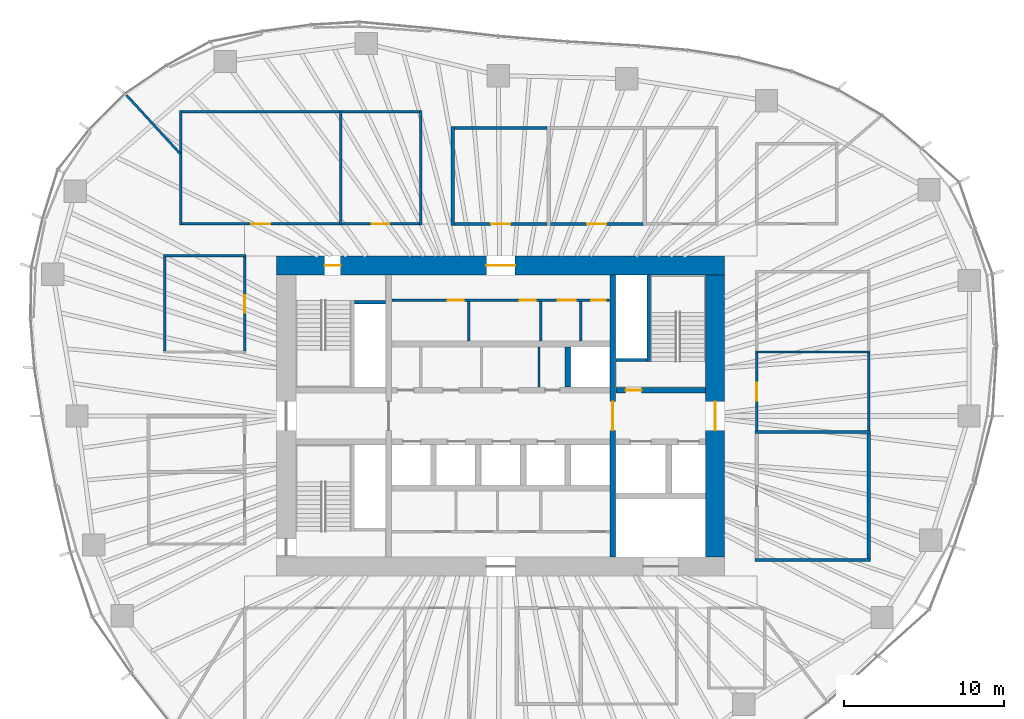
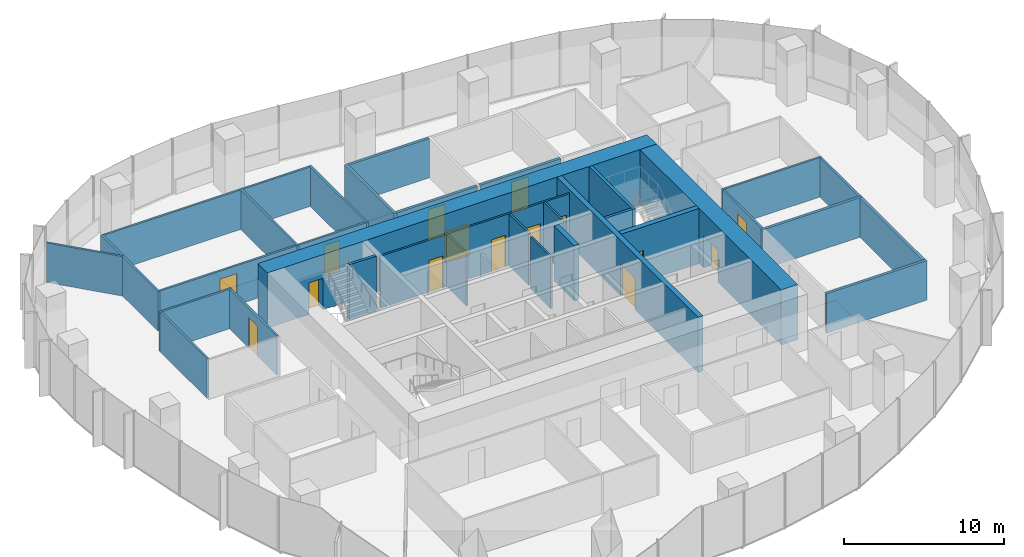
# One storey, part 10 of 18: 34 walls, 15 doors, 15 openings.
"""IFC4 building model written with IfcOpenShell, lengths in metres."""

from ifc_helpers import new_model, si_unit, direction, frame, frame_2d, origin, place, context, subcontext, project, spatial, rectangle, extrude, material, layer, layer_set, type_object, element, fill, save


model = new_model("IFC4")

# Units and contexts
model_context = context("Model", 3, precision=1e-05, world=origin(), true_north=direction((0.0, 1.0)))
body_context = subcontext(model_context, "Body", "Model", "MODEL_VIEW")
ifc_project = project(units=[si_unit("LENGTHUNIT", "METRE"), si_unit("AREAUNIT", "SQUARE_METRE"), si_unit("VOLUMEUNIT", "CUBIC_METRE"), si_unit("PLANEANGLEUNIT", "RADIAN"), si_unit("MASSUNIT", "GRAM", prefix="KILO")], contexts=[model_context])

# Site, building, storey
site_placement = place(None, origin())
site = spatial("IfcSite", under=ifc_project, at=site_placement, CompositionType="ELEMENT")
building_placement = place(site_placement, origin())
building = spatial("IfcBuilding", under=site, at=building_placement, Name="Ghaith Harvest Tower", CompositionType="ELEMENT")
storey_placement = place(building_placement, frame((0.0, 0.0, 163.800048828125)))
storey = spatial("IfcBuildingStorey", under=building, at=storey_placement, Name="L35", CompositionType="ELEMENT", Elevation=163.800048828125)

# Wall
ifc_material_1 = material(Name="Twin-stud gypsum board, acoustic", Category="gypsum")
ifc_layer_1 = layer(ifc_material_1, 0.199951171875)
ifc_layer_set_1 = layer_set([ifc_layer_1], Name="ACOUSTIC PARTITION 200")
wall_type_1 = type_object("IfcWallType", Name="ACOUSTIC PARTITION 200", PredefinedType="PARTITIONING", material=ifc_layer_set_1)
wall_1_placement = place(storey_placement, frame((-3.0, 11.89990234375, 0.0), z_axis=(0.0, 0.0, 1.0), x_axis=(0.0, 1.0, 0.0)))
element("IfcWall", 1, at=wall_1_placement, inside=storey, type_object=wall_type_1, Name="Partition L35 row N4 cross wall 1", PredefinedType="PARTITIONING", context=body_context, shape_type="SweptSolid", body=[
    extrude(rectangle(XDim=6.2001953125, YDim=0.199951171875, at=frame_2d((3.10009765625, 0.0))), origin(), (0.0, 0.0, 1.0), 3.0),
])

# Wall, opening, door
wall_2_placement = place(storey_placement, frame((-2.89990234375, 12.0, 0.0), z_axis=(0.0, 0.0, 1.0), x_axis=(1.0, 0.0, 0.0)))
wall_2 = element("IfcWall", 2, at=wall_2_placement, inside=storey, type_object=wall_type_1, Name="Partition L35-07", PredefinedType="PARTITIONING", context=body_context, shape_type="SweptSolid", body=[
    extrude(rectangle(XDim=5.7998046875, YDim=0.199951171875, at=frame_2d((2.89990234375, 0.0))), origin(), (0.0, 0.0, 1.0), 3.0),
])
opening_1_placement = place(wall_2_placement, frame((2.300048828125, 0.0, 0.0)))
opening_1 = element("IfcOpeningElement", 3, at=opening_1_placement, cuts=wall_2, Name="Opening 35-035", PredefinedType="OPENING", context=body_context, shape_type="SweptSolid", body=[
    extrude(rectangle(XDim=1.199951171875, YDim=2.39990234375, at=frame_2d((0.60009765625, 1.199951171875))), frame((0.0, 0.10986328125, 0.0), z_axis=(0.0, -1.0, 0.0), x_axis=(1.0, 0.0, 0.0)), (0.0, 0.0, 1.0), 0.219970703125),
])
ifc_material_2 = material(Name="Timber door", Category="wood")
door_type_1 = type_object("IfcDoorType", Name="D11 GLAZED 1200x2400", OperationType="SINGLE_SWING_LEFT", PredefinedType="DOOR", material=ifc_material_2)
door_1_placement = place(opening_1_placement, origin())
door_1 = element("IfcDoor", 4, at=door_1_placement, inside=storey, type_object=door_type_1, Name="Meeting room door", OperationType="SINGLE_SWING_LEFT", OverallHeight=2.39990234375, OverallWidth=1.199951171875, PredefinedType="DOOR", context=body_context, shape_type="SweptSolid", body=[
    extrude(rectangle(XDim=1.199951171875, YDim=2.39990234375, at=frame_2d((0.60009765625, 1.199951171875))), frame((0.0, 0.02490234375, 0.0), z_axis=(0.0, -1.0, 0.0), x_axis=(1.0, 0.0, 0.0)), (0.0, 0.0, 1.0), 0.050048828125),
])
fill(opening_1, door_1)

# Wall
wall_3_placement = place(storey_placement, frame((-2.89990234375, 18.0, 0.0), z_axis=(0.0, 0.0, 1.0), x_axis=(1.0, 0.0, 0.0)))
element("IfcWall", 5, at=wall_3_placement, inside=storey, type_object=wall_type_1, Name="Partition L35-07", PredefinedType="PARTITIONING", context=body_context, shape_type="SweptSolid", body=[
    extrude(rectangle(XDim=5.7998046875, YDim=0.199951171875, at=frame_2d((2.89990234375, 0.0))), origin(), (0.0, 0.0, 1.0), 3.0),
])

# Wall, opening, door
wall_4_placement = place(storey_placement, frame((3.10009765625, 12.0, 0.0), z_axis=(0.0, 0.0, 1.0), x_axis=(1.0, 0.0, 0.0)))
wall_4 = element("IfcWall", 6, at=wall_4_placement, inside=storey, type_object=wall_type_1, Name="Partition L35-08", PredefinedType="PARTITIONING", context=body_context, shape_type="SweptSolid", body=[
    extrude(rectangle(XDim=5.7998046875, YDim=0.199951171875, at=frame_2d((2.89990234375, 0.0))), origin(), (0.0, 0.0, 1.0), 3.0),
])
opening_2_placement = place(wall_4_placement, frame((2.300048828125, 0.0, 0.0)))
opening_2 = element("IfcOpeningElement", 7, at=opening_2_placement, cuts=wall_4, Name="Opening 35-036", PredefinedType="OPENING", context=body_context, shape_type="SweptSolid", body=[
    extrude(rectangle(XDim=1.199951171875, YDim=2.39990234375, at=frame_2d((0.60009765625, 1.199951171875))), frame((0.0, 0.10986328125, 0.0), z_axis=(0.0, -1.0, 0.0), x_axis=(1.0, 0.0, 0.0)), (0.0, 0.0, 1.0), 0.219970703125),
])
door_2_placement = place(opening_2_placement, origin())
door_2 = element("IfcDoor", 8, at=door_2_placement, inside=storey, type_object=door_type_1, Name="Meeting room door", OperationType="SINGLE_SWING_LEFT", OverallHeight=2.39990234375, OverallWidth=1.199951171875, PredefinedType="DOOR", context=body_context, shape_type="SweptSolid", body=[
    extrude(rectangle(XDim=1.199951171875, YDim=2.39990234375, at=frame_2d((0.60009765625, 1.199951171875))), frame((0.0, 0.02490234375, 0.0), z_axis=(0.0, -1.0, 0.0), x_axis=(1.0, 0.0, 0.0)), (0.0, 0.0, 1.0), 0.050048828125),
])
fill(opening_2, door_2)

# Walls
for number, where, z_axis, x_axis, name in (
    (9, (15.89990234375, -9.0, 0.0), (0.0, 0.0, 1.0), (1.0, 0.0, 0.0), "Partition L35 row E5 cross wall 1"),
    (10, (15.89990234375, -1.0, 0.0), (0.0, 0.0, 1.0), (1.0, 0.0, 0.0), "Partition L35 row E5 cross wall 2"),
):
    element("IfcWall", number, at=place(storey_placement, frame(where, z_axis=z_axis, x_axis=x_axis)), inside=storey, type_object=wall_type_1, Name=name, PredefinedType="PARTITIONING", context=body_context, shape_type="SweptSolid", body=[
        extrude(rectangle(XDim=7.2001953125, YDim=0.199951171875, at=frame_2d((3.60009765625, 0.0))), origin(), (0.0, 0.0, 1.0), 3.0),
    ])
wall_5_placement = place(storey_placement, frame((23.0, -8.89990234375, 0.0), z_axis=(0.0, 0.0, 1.0), x_axis=(0.0, 1.0, 0.0)))
element("IfcWall", 11, at=wall_5_placement, inside=storey, type_object=wall_type_1, Name="Partition L35-10", PredefinedType="PARTITIONING", context=body_context, shape_type="SweptSolid", body=[
    extrude(rectangle(XDim=7.7998046875, YDim=0.199951171875, at=frame_2d((3.89990234375, 0.0))), origin(), (0.0, 0.0, 1.0), 3.0),
])

# Wall, openings, doors
ifc_material_3 = material(Name="Concrete blockwork, fair-faced", Category="masonry")
ifc_layer_2 = layer(ifc_material_3, 0.139892578125)
ifc_layer_set_2 = layer_set([ifc_layer_2], Name="CORE PARTITION 140")
wall_type_2 = type_object("IfcWallType", Name="CORE PARTITION 140", PredefinedType="PARTITIONING", material=ifc_layer_set_2)
wall_6_placement = place(storey_placement, frame((-6.800048828125, 7.22998046875, 0.0), z_axis=(0.0, 0.0, 1.0), x_axis=(1.0, 0.0, 0.0)))
wall_6 = element("IfcWall", 12, at=wall_6_placement, inside=storey, type_object=wall_type_2, Name="Core partition L35", PredefinedType="PARTITIONING", context=body_context, shape_type="SweptSolid", body=[
    extrude(rectangle(XDim=13.60009765625, YDim=0.139892578125, at=frame_2d((6.800048828125, 0.0))), origin(), (0.0, 0.0, 1.0), 3.949951171875),
])
opening_3_placement = place(wall_6_placement, frame((3.47998046875, 0.0, 0.0)))
opening_3 = element("IfcOpeningElement", 13, at=opening_3_placement, cuts=wall_6, Name="Opening 35-008", PredefinedType="OPENING", context=body_context, shape_type="SweptSolid", body=[
    extrude(rectangle(XDim=1.0, YDim=2.39990234375, at=frame_2d((0.5, 1.199951171875))), frame((0.0, 0.080078125, 0.0), z_axis=(0.0, -1.0, 0.0), x_axis=(1.0, 0.0, 0.0)), (0.0, 0.0, 1.0), 0.159912109375),
])
opening_4_placement = place(wall_6_placement, frame((7.97998046875, 0.0, 0.0)))
opening_4 = element("IfcOpeningElement", 14, at=opening_4_placement, cuts=wall_6, Name="Opening 35-009", PredefinedType="OPENING", context=body_context, shape_type="SweptSolid", body=[
    extrude(rectangle(XDim=1.0, YDim=2.39990234375, at=frame_2d((0.5, 1.199951171875))), frame((0.0, 0.080078125, 0.0), z_axis=(0.0, -1.0, 0.0), x_axis=(1.0, 0.0, 0.0)), (0.0, 0.0, 1.0), 0.159912109375),
])
opening_5_placement = place(wall_6_placement, frame((10.3798828125, 0.0, 0.0)))
opening_5 = element("IfcOpeningElement", 15, at=opening_5_placement, cuts=wall_6, Name="Opening 35-010", PredefinedType="OPENING", context=body_context, shape_type="SweptSolid", body=[
    extrude(rectangle(XDim=1.10009765625, YDim=2.39990234375, at=frame_2d((0.550048828125, 1.199951171875))), frame((0.0, 0.080078125, 0.0), z_axis=(0.0, -1.0, 0.0), x_axis=(1.0, 0.0, 0.0)), (0.0, 0.0, 1.0), 0.159912109375),
])
opening_6_placement = place(wall_6_placement, frame((12.449951171875, 0.0, 0.0)))
opening_6 = element("IfcOpeningElement", 16, at=opening_6_placement, cuts=wall_6, Name="Opening 35-011", PredefinedType="OPENING", context=body_context, shape_type="SweptSolid", body=[
    extrude(rectangle(XDim=0.89990234375, YDim=2.39990234375, at=frame_2d((0.449951171875, 1.199951171875))), frame((0.0, 0.080078125, 0.0), z_axis=(0.0, -1.0, 0.0), x_axis=(1.0, 0.0, 0.0)), (0.0, 0.0, 1.0), 0.159912109375),
])
ifc_material_4 = material(Name="Steel fire door", Category="steel")
door_type_2 = type_object("IfcDoorType", Name="D3 FD90 1000x2400", OperationType="SINGLE_SWING_LEFT", PredefinedType="DOOR", material=ifc_material_4)
door_3_placement = place(opening_3_placement, origin())
door_3 = element("IfcDoor", 17, at=door_3_placement, inside=storey, type_object=door_type_2, Name="Male WC door", OperationType="SINGLE_SWING_LEFT", OverallHeight=2.39990234375, OverallWidth=1.0, PredefinedType="DOOR", context=body_context, shape_type="SweptSolid", body=[
    extrude(rectangle(XDim=1.0, YDim=2.39990234375, at=frame_2d((0.5, 1.199951171875))), frame((0.0, 0.02490234375, 0.0), z_axis=(0.0, -1.0, 0.0), x_axis=(1.0, 0.0, 0.0)), (0.0, 0.0, 1.0), 0.050048828125),
])
fill(opening_3, door_3)
door_4_placement = place(opening_4_placement, origin())
door_4 = element("IfcDoor", 18, at=door_4_placement, inside=storey, type_object=door_type_2, Name="Female WC door", OperationType="SINGLE_SWING_RIGHT", OverallHeight=2.39990234375, OverallWidth=1.0, PredefinedType="DOOR", context=body_context, shape_type="SweptSolid", body=[
    extrude(rectangle(XDim=1.0, YDim=2.39990234375, at=frame_2d((0.5, 1.199951171875))), frame((0.0, 0.02490234375, 0.0), z_axis=(0.0, -1.0, 0.0), x_axis=(1.0, 0.0, 0.0)), (0.0, 0.0, 1.0), 0.050048828125),
])
fill(opening_4, door_4)
ifc_material_5 = material(Name="Steel fire door", Category="steel")
door_type_3 = type_object("IfcDoorType", Name="D5 FD90 900x2400", OperationType="SINGLE_SWING_LEFT", PredefinedType="DOOR", material=ifc_material_5)
door_5_placement = place(opening_6_placement, origin())
door_5 = element("IfcDoor", 19, at=door_5_placement, inside=storey, type_object=door_type_3, Name="Cleaner's store door", OperationType="SINGLE_SWING_RIGHT", OverallHeight=2.39990234375, OverallWidth=0.89990234375, PredefinedType="DOOR", context=body_context, shape_type="SweptSolid", body=[
    extrude(rectangle(XDim=0.89990234375, YDim=2.39990234375, at=frame_2d((0.449951171875, 1.199951171875))), frame((0.0, 0.02490234375, 0.0), z_axis=(0.0, -1.0, 0.0), x_axis=(1.0, 0.0, 0.0)), (0.0, 0.0, 1.0), 0.050048828125),
])
fill(opening_6, door_5)
ifc_material_6 = material(Name="Steel fire door", Category="steel")
door_type_4 = type_object("IfcDoorType", Name="D9 FD90 1100x2400", OperationType="SINGLE_SWING_LEFT", PredefinedType="DOOR", material=ifc_material_6)
door_6_placement = place(opening_5_placement, origin())
door_6 = element("IfcDoor", 20, at=door_6_placement, inside=storey, type_object=door_type_4, Name="Accessible WC door", OperationType="SINGLE_SWING_RIGHT", OverallHeight=2.39990234375, OverallWidth=1.10009765625, PredefinedType="DOOR", context=body_context, shape_type="SweptSolid", body=[
    extrude(rectangle(XDim=1.10009765625, YDim=2.39990234375, at=frame_2d((0.550048828125, 1.199951171875))), frame((0.0, 0.02490234375, 0.0), z_axis=(0.0, -1.0, 0.0), x_axis=(1.0, 0.0, 0.0)), (0.0, 0.0, 1.0), 0.050048828125),
])
fill(opening_5, door_6)

# Walls
for number, where, z_axis, x_axis, name in (
    (21, (-2.0, 4.699951171875, 0.0), (0.0, 0.0, 1.0), (0.0, 1.0, 0.0), "Core partition L35"),
    (22, (2.5, 4.699951171875, 0.0), (0.0, 0.0, 1.0), (0.0, 1.0, 0.0), "Core partition L35"),
    (23, (5.0, 4.699951171875, 0.0), (0.0, 0.0, 1.0), (0.0, 1.0, 0.0), "Core partition L35"),
):
    element("IfcWall", number, at=place(storey_placement, frame(where, z_axis=z_axis, x_axis=x_axis)), inside=storey, type_object=wall_type_2, Name=name, PredefinedType="PARTITIONING", context=body_context, shape_type="SweptSolid", body=[
        extrude(rectangle(XDim=2.4599609375, YDim=0.139892578125, at=frame_2d((1.22998046875, 0.0))), origin(), (0.0, 0.0, 1.0), 3.949951171875),
    ])
wall_7_placement = place(storey_placement, frame((2.39990234375, 1.800048828125, 0.0), z_axis=(0.0, 0.0, 1.0), x_axis=(0.0, 1.0, 0.0)))
element("IfcWall", 24, at=wall_7_placement, inside=storey, type_object=wall_type_2, Name="Core partition L35", PredefinedType="PARTITIONING", context=body_context, shape_type="SweptSolid", body=[
    extrude(rectangle(XDim=2.5, YDim=0.139892578125, at=frame_2d((1.25, 0.0))), origin(), (0.0, 0.0, 1.0), 3.949951171875),
])

# Wall, openings, doors
ifc_material_7 = material(Name="Concrete C60/75", Category="concrete")
ifc_layer_3 = layer(ifc_material_7, 1.199951171875)
ifc_layer_set_3 = layer_set([ifc_layer_3], Name="CORE WALL CW1200 C60")
wall_type_3 = type_object("IfcWallType", Name="CORE WALL CW1200 C60", PredefinedType="SHEAR", material=ifc_layer_set_3)
wall_8_placement = place(storey_placement, frame((14.0, 9.39990234375, 0.0), z_axis=(0.0, 0.0, 1.0), x_axis=(-1.0, 0.0, 0.0)))
wall_8 = element("IfcWall", 25, at=wall_8_placement, inside=storey, type_object=wall_type_3, Name="Core wall N L35", PredefinedType="SHEAR", context=body_context, shape_type="SweptSolid", body=[
    extrude(rectangle(XDim=28.0, YDim=1.199951171875, at=frame_2d((14.0, 0.0))), origin(), (0.0, 0.0, 1.0), 4.199951171875),
])
opening_7_placement = place(wall_8_placement, frame((24.0, 0.0, 0.0)))
opening_7 = element("IfcOpeningElement", 26, at=opening_7_placement, cuts=wall_8, Name="Opening 35-005", PredefinedType="OPENING", context=body_context, shape_type="SweptSolid", body=[
    extrude(rectangle(XDim=1.0, YDim=2.39990234375, at=frame_2d((0.5, 1.199951171875))), frame((0.0, 0.60986328125, 0.0), z_axis=(0.0, -1.0, 0.0), x_axis=(1.0, 0.0, 0.0)), (0.0, 0.0, 1.0), 1.219970703125),
])
opening_8_placement = place(wall_8_placement, frame((13.10009765625, 0.0, 0.0)))
opening_8 = element("IfcOpeningElement", 27, at=opening_8_placement, cuts=wall_8, Name="Opening 35-020", PredefinedType="OPENING", context=body_context, shape_type="SweptSolid", body=[
    extrude(rectangle(XDim=1.800048828125, YDim=2.39990234375, at=frame_2d((0.89990234375, 1.199951171875))), frame((0.0, 0.60986328125, 0.0), z_axis=(0.0, -1.0, 0.0), x_axis=(1.0, 0.0, 0.0)), (0.0, 0.0, 1.0), 1.219970703125),
])
door_7_placement = place(opening_7_placement, origin())
door_7 = element("IfcDoor", 28, at=door_7_placement, inside=storey, type_object=door_type_2, Name="Stair ST1 door", OperationType="SINGLE_SWING_RIGHT", OverallHeight=2.39990234375, OverallWidth=1.0, PredefinedType="DOOR", context=body_context, shape_type="SweptSolid", body=[
    extrude(rectangle(XDim=1.0, YDim=2.39990234375, at=frame_2d((0.5, 1.199951171875))), frame((0.0, 0.02490234375, 0.0), z_axis=(0.0, -1.0, 0.0), x_axis=(1.0, 0.0, 0.0)), (0.0, 0.0, 1.0), 0.050048828125),
])
fill(opening_7, door_7)
ifc_material_8 = material(Name="Steel fire door", Category="steel")
door_type_5 = type_object("IfcDoorType", Name="D4 FD90 PAIR 1800x2400", OperationType="DOUBLE_DOOR_SINGLE_SWING", PredefinedType="DOOR", material=ifc_material_8)
door_8_placement = place(opening_8_placement, origin())
door_8 = element("IfcDoor", 29, at=door_8_placement, inside=storey, type_object=door_type_5, Name="Core service corridor doors", OperationType="DOUBLE_DOOR_SINGLE_SWING", OverallHeight=2.39990234375, OverallWidth=1.800048828125, PredefinedType="DOOR", context=body_context, shape_type="SweptSolid", body=[
    extrude(rectangle(XDim=1.800048828125, YDim=2.39990234375, at=frame_2d((0.89990234375, 1.199951171875))), frame((0.0, 0.02490234375, 0.0), z_axis=(0.0, -1.0, 0.0), x_axis=(1.0, 0.0, 0.0)), (0.0, 0.0, 1.0), 0.050048828125),
])
fill(opening_8, door_8)

# Wall, opening, door
wall_9_placement = place(storey_placement, frame((13.39990234375, -8.800048828125, 0.0), z_axis=(0.0, 0.0, 1.0), x_axis=(0.0, 1.0, 0.0)))
wall_9 = element("IfcWall", 30, at=wall_9_placement, inside=storey, type_object=wall_type_3, Name="Core wall E L35", PredefinedType="SHEAR", context=body_context, shape_type="SweptSolid", body=[
    extrude(rectangle(XDim=17.60009765625, YDim=1.199951171875, at=frame_2d((8.800048828125, 0.0))), origin(), (0.0, 0.0, 1.0), 4.199951171875),
])
opening_9_placement = place(wall_9_placement, frame((7.89990234375, 0.0, 0.0)))
opening_9 = element("IfcOpeningElement", 31, at=opening_9_placement, cuts=wall_9, Name="Opening 35-002", PredefinedType="OPENING", context=body_context, shape_type="SweptSolid", body=[
    extrude(rectangle(XDim=1.800048828125, YDim=2.39990234375, at=frame_2d((0.89990234375, 1.199951171875))), frame((0.0, 0.60986328125, 0.0), z_axis=(0.0, -1.0, 0.0), x_axis=(1.0, 0.0, 0.0)), (0.0, 0.0, 1.0), 1.219970703125),
])
door_9_placement = place(opening_9_placement, origin())
door_9 = element("IfcDoor", 32, at=door_9_placement, inside=storey, type_object=door_type_5, Name="Fire-fighting lobby doors", OperationType="DOUBLE_DOOR_SINGLE_SWING", OverallHeight=2.39990234375, OverallWidth=1.800048828125, PredefinedType="DOOR", context=body_context, shape_type="SweptSolid", body=[
    extrude(rectangle(XDim=1.800048828125, YDim=2.39990234375, at=frame_2d((0.89990234375, 1.199951171875))), frame((0.0, 0.02490234375, 0.0), z_axis=(0.0, -1.0, 0.0), x_axis=(1.0, 0.0, 0.0)), (0.0, 0.0, 1.0), 0.050048828125),
])
fill(opening_9, door_9)

# Walls
ifc_material_9 = material(Name="Gypsum board on steel studs", Category="steel")
ifc_layer_4 = layer(ifc_material_9, 0.14990234375)
ifc_layer_set_4 = layer_set([ifc_layer_4], Name="PARTITION 150")
wall_type_4 = type_object("IfcWallType", Name="PARTITION 150", PredefinedType="PARTITIONING", material=ifc_layer_set_4)
for number, where, z_axis, x_axis, name in (
    (33, (-20.0, 11.925048828125, 0.0), (0.0, 0.0, 1.0), (0.0, 1.0, 0.0), "Partition L35 row N3 cross wall 1"),
    (34, (-10.0, 11.925048828125, 0.0), (0.0, 0.0, 1.0), (0.0, 1.0, 0.0), "Partition L35 row N3 cross wall 2"),
    (35, (-5.0, 11.925048828125, 0.0), (0.0, 0.0, 1.0), (0.0, 1.0, 0.0), "Partition L35 row N3 cross wall 3"),
):
    element("IfcWall", number, at=place(storey_placement, frame(where, z_axis=z_axis, x_axis=x_axis)), inside=storey, type_object=wall_type_4, Name=name, PredefinedType="PARTITIONING", context=body_context, shape_type="SweptSolid", body=[
        extrude(rectangle(XDim=7.14990234375, YDim=0.14990234375, at=frame_2d((3.574951171875, 0.0))), origin(), (0.0, 0.0, 1.0), 3.0),
    ])

# Wall, opening, door
wall_10_placement = place(storey_placement, frame((-19.925048828125, 12.0, 0.0), z_axis=(0.0, 0.0, 1.0), x_axis=(1.0, 0.0, 0.0)))
wall_10 = element("IfcWall", 36, at=wall_10_placement, inside=storey, type_object=wall_type_4, Name="Partition L35-05", PredefinedType="PARTITIONING", context=body_context, shape_type="SweptSolid", body=[
    extrude(rectangle(XDim=9.85009765625, YDim=0.14990234375, at=frame_2d((4.925048828125, 0.0))), origin(), (0.0, 0.0, 1.0), 3.0),
])
opening_10_placement = place(wall_10_placement, frame((4.324951171875, 0.0, 0.0)))
opening_10 = element("IfcOpeningElement", 37, at=opening_10_placement, cuts=wall_10, Name="Opening 35-033", PredefinedType="OPENING", context=body_context, shape_type="SweptSolid", body=[
    extrude(rectangle(XDim=1.199951171875, YDim=2.39990234375, at=frame_2d((0.60009765625, 1.199951171875))), frame((0.0, 0.0849609375, 0.0), z_axis=(0.0, -1.0, 0.0), x_axis=(1.0, 0.0, 0.0)), (0.0, 0.0, 1.0), 0.169921875),
])
door_10_placement = place(opening_10_placement, origin())
door_10 = element("IfcDoor", 38, at=door_10_placement, inside=storey, type_object=door_type_1, Name="Design studio door", OperationType="SINGLE_SWING_LEFT", OverallHeight=2.39990234375, OverallWidth=1.199951171875, PredefinedType="DOOR", context=body_context, shape_type="SweptSolid", body=[
    extrude(rectangle(XDim=1.199951171875, YDim=2.39990234375, at=frame_2d((0.60009765625, 1.199951171875))), frame((0.0, 0.02490234375, 0.0), z_axis=(0.0, -1.0, 0.0), x_axis=(1.0, 0.0, 0.0)), (0.0, 0.0, 1.0), 0.050048828125),
])
fill(opening_10, door_10)

# Wall
wall_11_placement = place(storey_placement, frame((-19.925048828125, 19.0, 0.0), z_axis=(0.0, 0.0, 1.0), x_axis=(1.0, 0.0, 0.0)))
element("IfcWall", 39, at=wall_11_placement, inside=storey, type_object=wall_type_4, Name="Partition L35-05", PredefinedType="PARTITIONING", context=body_context, shape_type="SweptSolid", body=[
    extrude(rectangle(XDim=9.85009765625, YDim=0.14990234375, at=frame_2d((4.925048828125, 0.0))), origin(), (0.0, 0.0, 1.0), 3.0),
])

# Wall, opening, door
wall_12_placement = place(storey_placement, frame((-9.925048828125, 12.0, 0.0), z_axis=(0.0, 0.0, 1.0), x_axis=(1.0, 0.0, 0.0)))
wall_12 = element("IfcWall", 40, at=wall_12_placement, inside=storey, type_object=wall_type_4, Name="Partition L35-06", PredefinedType="PARTITIONING", context=body_context, shape_type="SweptSolid", body=[
    extrude(rectangle(XDim=4.85009765625, YDim=0.14990234375, at=frame_2d((2.425048828125, 0.0))), origin(), (0.0, 0.0, 1.0), 3.0),
])
opening_11_placement = place(wall_12_placement, frame((1.875, 0.0, 0.0)))
opening_11 = element("IfcOpeningElement", 41, at=opening_11_placement, cuts=wall_12, Name="Opening 35-034", PredefinedType="OPENING", context=body_context, shape_type="SweptSolid", body=[
    extrude(rectangle(XDim=1.10009765625, YDim=2.300048828125, at=frame_2d((0.550048828125, 1.14990234375))), frame((0.0, 0.0849609375, 0.0), z_axis=(0.0, -1.0, 0.0), x_axis=(1.0, 0.0, 0.0)), (0.0, 0.0, 1.0), 0.169921875),
])
ifc_material_10 = material(Name="Timber-framed glazed door", Category="wood")
door_type_6 = type_object("IfcDoorType", Name="D12 GLAZED OFFICE 1100x2300", OperationType="SINGLE_SWING_LEFT", PredefinedType="DOOR", material=ifc_material_10)
door_11_placement = place(opening_11_placement, origin())
door_11 = element("IfcDoor", 42, at=door_11_placement, inside=storey, type_object=door_type_6, Name="Office door", OperationType="SINGLE_SWING_LEFT", OverallHeight=2.300048828125, OverallWidth=1.10009765625, PredefinedType="DOOR", context=body_context, shape_type="SweptSolid", body=[
    extrude(rectangle(XDim=1.10009765625, YDim=2.300048828125, at=frame_2d((0.550048828125, 1.14990234375))), frame((0.0, 0.02490234375, 0.0), z_axis=(0.0, -1.0, 0.0), x_axis=(1.0, 0.0, 0.0)), (0.0, 0.0, 1.0), 0.050048828125),
])
fill(opening_11, door_11)

# Walls
wall_13_placement = place(storey_placement, frame((-9.925048828125, 19.0, 0.0), z_axis=(0.0, 0.0, 1.0), x_axis=(1.0, 0.0, 0.0)))
element("IfcWall", 43, at=wall_13_placement, inside=storey, type_object=wall_type_4, Name="Partition L35-06", PredefinedType="PARTITIONING", context=body_context, shape_type="SweptSolid", body=[
    extrude(rectangle(XDim=4.85009765625, YDim=0.14990234375, at=frame_2d((2.425048828125, 0.0))), origin(), (0.0, 0.0, 1.0), 3.0),
])
wall_14_placement = place(storey_placement, frame((15.925048828125, 4.0, 0.0), z_axis=(0.0, 0.0, 1.0), x_axis=(1.0, 0.0, 0.0)))
element("IfcWall", 44, at=wall_14_placement, inside=storey, type_object=wall_type_4, Name="Partition L35 row E5 cross wall 3", PredefinedType="PARTITIONING", context=body_context, shape_type="SweptSolid", body=[
    extrude(rectangle(XDim=7.14990234375, YDim=0.14990234375, at=frame_2d((3.574951171875, 0.0))), origin(), (0.0, 0.0, 1.0), 3.0),
])

# Wall, opening, door
wall_15_placement = place(storey_placement, frame((16.0, -0.89990234375, 0.0), z_axis=(0.0, 0.0, 1.0), x_axis=(0.0, 1.0, 0.0)))
wall_15 = element("IfcWall", 45, at=wall_15_placement, inside=storey, type_object=wall_type_4, Name="Partition L35-11", PredefinedType="PARTITIONING", context=body_context, shape_type="SweptSolid", body=[
    extrude(rectangle(XDim=4.824951171875, YDim=0.14990234375, at=frame_2d((2.41259765625, 0.0))), origin(), (0.0, 0.0, 1.0), 3.0),
])
opening_12_placement = place(wall_15_placement, frame((1.862548828125, 0.0, 0.0)))
opening_12 = element("IfcOpeningElement", 46, at=opening_12_placement, cuts=wall_15, Name="Opening 35-039", PredefinedType="OPENING", context=body_context, shape_type="SweptSolid", body=[
    extrude(rectangle(XDim=1.10009765625, YDim=2.300048828125, at=frame_2d((0.550048828125, 1.14990234375))), frame((0.0, 0.0849609375, 0.0), z_axis=(0.0, -1.0, 0.0), x_axis=(1.0, 0.0, 0.0)), (0.0, 0.0, 1.0), 0.169921875),
])
door_12_placement = place(opening_12_placement, origin())
door_12 = element("IfcDoor", 47, at=door_12_placement, inside=storey, type_object=door_type_6, Name="Office door", OperationType="SINGLE_SWING_LEFT", OverallHeight=2.300048828125, OverallWidth=1.10009765625, PredefinedType="DOOR", context=body_context, shape_type="SweptSolid", body=[
    extrude(rectangle(XDim=1.10009765625, YDim=2.300048828125, at=frame_2d((0.550048828125, 1.14990234375))), frame((0.0, 0.02490234375, 0.0), z_axis=(0.0, -1.0, 0.0), x_axis=(1.0, 0.0, 0.0)), (0.0, 0.0, 1.0), 0.050048828125),
])
fill(opening_12, door_12)

# Walls
wall_16_placement = place(storey_placement, frame((23.0, -0.89990234375, 0.0), z_axis=(0.0, 0.0, 1.0), x_axis=(0.0, 1.0, 0.0)))
element("IfcWall", 48, at=wall_16_placement, inside=storey, type_object=wall_type_4, Name="Partition L35-11", PredefinedType="PARTITIONING", context=body_context, shape_type="SweptSolid", body=[
    extrude(rectangle(XDim=4.824951171875, YDim=0.14990234375, at=frame_2d((2.41259765625, 0.0))), origin(), (0.0, 0.0, 1.0), 3.0),
])
wall_17_placement = place(storey_placement, frame((-15.925048828125, 10.0, 0.0), z_axis=(0.0, 0.0, 1.0), x_axis=(-1.0, 0.0, 0.0)))
element("IfcWall", 49, at=wall_17_placement, inside=storey, type_object=wall_type_4, Name="Partition L35 row W9 cross wall 2", PredefinedType="PARTITIONING", context=body_context, shape_type="SweptSolid", body=[
    extrude(rectangle(XDim=5.14990234375, YDim=0.14990234375, at=frame_2d((2.574951171875, 0.0))), origin(), (0.0, 0.0, 1.0), 3.0),
])

# Wall, opening, door
wall_18_placement = place(storey_placement, frame((-16.0, 4.074951171875, 0.0), z_axis=(0.0, 0.0, 1.0), x_axis=(0.0, 1.0, 0.0)))
wall_18 = element("IfcWall", 50, at=wall_18_placement, inside=storey, type_object=wall_type_4, Name="Partition L35-17", PredefinedType="PARTITIONING", context=body_context, shape_type="SweptSolid", body=[
    extrude(rectangle(XDim=5.85009765625, YDim=0.14990234375, at=frame_2d((2.925048828125, 0.0))), origin(), (0.0, 0.0, 1.0), 3.0),
])
opening_13_placement = place(wall_18_placement, frame((2.375, 0.0, 0.0)))
opening_13 = element("IfcOpeningElement", 51, at=opening_13_placement, cuts=wall_18, Name="Opening 35-045", PredefinedType="OPENING", context=body_context, shape_type="SweptSolid", body=[
    extrude(rectangle(XDim=1.10009765625, YDim=2.300048828125, at=frame_2d((0.550048828125, 1.14990234375))), frame((0.0, 0.0849609375, 0.0), z_axis=(0.0, -1.0, 0.0), x_axis=(1.0, 0.0, 0.0)), (0.0, 0.0, 1.0), 0.169921875),
])
door_13_placement = place(opening_13_placement, origin())
door_13 = element("IfcDoor", 52, at=door_13_placement, inside=storey, type_object=door_type_6, Name="Office door", OperationType="SINGLE_SWING_LEFT", OverallHeight=2.300048828125, OverallWidth=1.10009765625, PredefinedType="DOOR", context=body_context, shape_type="SweptSolid", body=[
    extrude(rectangle(XDim=1.10009765625, YDim=2.300048828125, at=frame_2d((0.550048828125, 1.14990234375))), frame((0.0, 0.02490234375, 0.0), z_axis=(0.0, -1.0, 0.0), x_axis=(1.0, 0.0, 0.0)), (0.0, 0.0, 1.0), 0.050048828125),
])
fill(opening_13, door_13)

# Walls
wall_19_placement = place(storey_placement, frame((-21.0, 4.074951171875, 0.0), z_axis=(0.0, 0.0, 1.0), x_axis=(0.0, 1.0, 0.0)))
element("IfcWall", 53, at=wall_19_placement, inside=storey, type_object=wall_type_4, Name="Partition L35-17", PredefinedType="PARTITIONING", context=body_context, shape_type="SweptSolid", body=[
    extrude(rectangle(XDim=5.85009765625, YDim=0.14990234375, at=frame_2d((2.925048828125, 0.0))), origin(), (0.0, 0.0, 1.0), 3.0),
])
wall_20_placement = place(storey_placement, frame((-20.02001953125, 16.380126953125, 0.0), z_axis=(0.0, 0.0, 1.0), x_axis=(-0.676159982548, 0.736754828963, 0.0)))
element("IfcWall", 54, at=wall_20_placement, inside=storey, type_object=wall_type_4, Name="Partition L35 zone division", PredefinedType="PARTITIONING", context=body_context, shape_type="SweptSolid", body=[
    extrude(rectangle(XDim=4.975830078125, YDim=0.14990234375, at=frame_2d((2.48779296875, 0.0))), origin(), (0.0, 0.0, 1.0), 3.0),
])

# Wall, opening, door
ifc_material_11 = material(Name="Concrete C60/75", Category="concrete")
ifc_layer_5 = layer(ifc_material_11, 0.35009765625)
ifc_layer_set_5 = layer_set([ifc_layer_5], Name="SHAFT WALL 350")
wall_type_5 = type_object("IfcWallType", Name="SHAFT WALL 350", PredefinedType="SHEAR", material=ifc_layer_set_5)
wall_21_placement = place(storey_placement, frame((7.0, -8.800048828125, 0.0), z_axis=(0.0, 0.0, 1.0), x_axis=(0.0, 1.0, 0.0)))
wall_21 = element("IfcWall", 55, at=wall_21_placement, inside=storey, type_object=wall_type_5, Name="Shaft wall W7E L35", PredefinedType="SHEAR", context=body_context, shape_type="SweptSolid", body=[
    extrude(rectangle(XDim=17.60009765625, YDim=0.35009765625, at=frame_2d((8.800048828125, 0.0))), origin(), (0.0, 0.0, 1.0), 4.199951171875),
])
opening_14_placement = place(wall_21_placement, frame((7.89990234375, 0.0, 0.0)))
opening_14 = element("IfcOpeningElement", 56, at=opening_14_placement, cuts=wall_21, Name="Opening 35-004", PredefinedType="OPENING", context=body_context, shape_type="SweptSolid", body=[
    extrude(rectangle(XDim=1.800048828125, YDim=2.39990234375, at=frame_2d((0.89990234375, 1.199951171875))), frame((0.0, 0.18505859375, 0.0), z_axis=(0.0, -1.0, 0.0), x_axis=(1.0, 0.0, 0.0)), (0.0, 0.0, 1.0), 0.3701171875),
])
door_14_placement = place(opening_14_placement, origin())
door_14 = element("IfcDoor", 57, at=door_14_placement, inside=storey, type_object=door_type_5, Name="Lift lobby doors, east", OperationType="DOUBLE_DOOR_SINGLE_SWING", OverallHeight=2.39990234375, OverallWidth=1.800048828125, PredefinedType="DOOR", context=body_context, shape_type="SweptSolid", body=[
    extrude(rectangle(XDim=1.800048828125, YDim=2.39990234375, at=frame_2d((0.89990234375, 1.199951171875))), frame((0.0, 0.02490234375, 0.0), z_axis=(0.0, -1.0, 0.0), x_axis=(1.0, 0.0, 0.0)), (0.0, 0.0, 1.0), 0.050048828125),
])
fill(opening_14, door_14)

wall_22_placement = place(storey_placement, frame((7.199951171875, 1.60009765625, 0.0), z_axis=(0.0, 0.0, 1.0), x_axis=(1.0, 0.0, 0.0)))
wall_22 = element("IfcWall", 58, at=wall_22_placement, inside=storey, type_object=wall_type_5, Name="Shaft wall EN L35", PredefinedType="SHEAR", context=body_context, shape_type="SweptSolid", body=[
    extrude(rectangle(XDim=5.60009765625, YDim=0.35009765625, at=frame_2d((2.800048828125, 0.0))), origin(), (0.0, 0.0, 1.0), 4.199951171875),
])
opening_15_placement = place(wall_22_placement, frame((0.60009765625, 0.0, 0.0)))
opening_15 = element("IfcOpeningElement", 59, at=opening_15_placement, cuts=wall_22, Name="Opening 35-007", PredefinedType="OPENING", context=body_context, shape_type="SweptSolid", body=[
    extrude(rectangle(XDim=1.0, YDim=2.39990234375, at=frame_2d((0.5, 1.199951171875))), frame((0.0, 0.18505859375, 0.0), z_axis=(0.0, -1.0, 0.0), x_axis=(1.0, 0.0, 0.0)), (0.0, 0.0, 1.0), 0.3701171875),
])
door_15_placement = place(opening_15_placement, origin())
door_15 = element("IfcDoor", 60, at=door_15_placement, inside=storey, type_object=door_type_2, Name="Stair ST2 door", OperationType="SINGLE_SWING_LEFT", OverallHeight=2.39990234375, OverallWidth=1.0, PredefinedType="DOOR", context=body_context, shape_type="SweptSolid", body=[
    extrude(rectangle(XDim=1.0, YDim=2.39990234375, at=frame_2d((0.5, 1.199951171875))), frame((0.0, 0.02490234375, 0.0), z_axis=(0.0, -1.0, 0.0), x_axis=(1.0, 0.0, 0.0)), (0.0, 0.0, 1.0), 0.050048828125),
])
fill(opening_15, door_15)

# Walls
wall_23_placement = place(storey_placement, frame((4.199951171875, 1.800048828125, 0.0), z_axis=(0.0, 0.0, 1.0), x_axis=(0.0, 1.0, 0.0)))
element("IfcWall", 61, at=wall_23_placement, inside=storey, type_object=wall_type_5, Name="Shaft wall DN4 L35", PredefinedType="SHEAR", context=body_context, shape_type="SweptSolid", body=[
    extrude(rectangle(XDim=2.5, YDim=0.35009765625, at=frame_2d((1.25, 0.0))), origin(), (0.0, 0.0, 1.0), 4.199951171875),
])
ifc_material_12 = material(Name="Concrete C40/50", Category="concrete")
ifc_layer_6 = layer(ifc_material_12, 0.199951171875)
ifc_layer_set_6 = layer_set([ifc_layer_6], Name="STAIR SPINE WALL RC200")
wall_type_6 = type_object("IfcWallType", Name="STAIR SPINE WALL RC200", PredefinedType="SOLIDWALL", material=ifc_layer_set_6)
wall_24_placement = place(storey_placement, frame((-9.14990234375, 7.10009765625, 0.0), z_axis=(0.0, 0.0, 1.0), x_axis=(1.0, 0.0, 0.0)))
element("IfcWall", 62, at=wall_24_placement, inside=storey, type_object=wall_type_6, Name="Stair ST1 spine wall return L35", PredefinedType="SOLIDWALL", context=body_context, shape_type="SweptSolid", body=[
    extrude(rectangle(XDim=1.949951171875, YDim=0.199951171875, at=frame_2d((0.97509765625, 0.0))), origin(), (0.0, 0.0, 1.0), 4.199951171875),
])
wall_25_placement = place(storey_placement, frame((9.25, 3.39990234375, 0.0), z_axis=(0.0, 0.0, 1.0), x_axis=(0.0, 1.0, 0.0)))
element("IfcWall", 63, at=wall_25_placement, inside=storey, type_object=wall_type_6, Name="Stair ST2 spine wall L35", PredefinedType="SOLIDWALL", context=body_context, shape_type="SweptSolid", body=[
    extrude(rectangle(XDim=5.400146484375, YDim=0.199951171875, at=frame_2d((2.7001953125, 0.0))), origin(), (0.0, 0.0, 1.0), 4.199951171875),
])
wall_26_placement = place(storey_placement, frame((9.14990234375, 3.5, 0.0), z_axis=(0.0, 0.0, 1.0), x_axis=(-1.0, 0.0, 0.0)))
element("IfcWall", 64, at=wall_26_placement, inside=storey, type_object=wall_type_6, Name="Stair ST2 spine wall return L35", PredefinedType="SOLIDWALL", context=body_context, shape_type="SweptSolid", body=[
    extrude(rectangle(XDim=1.949951171875, YDim=0.199951171875, at=frame_2d((0.97509765625, 0.0))), origin(), (0.0, 0.0, 1.0), 4.199951171875),
])

save(model, "model.ifc")
